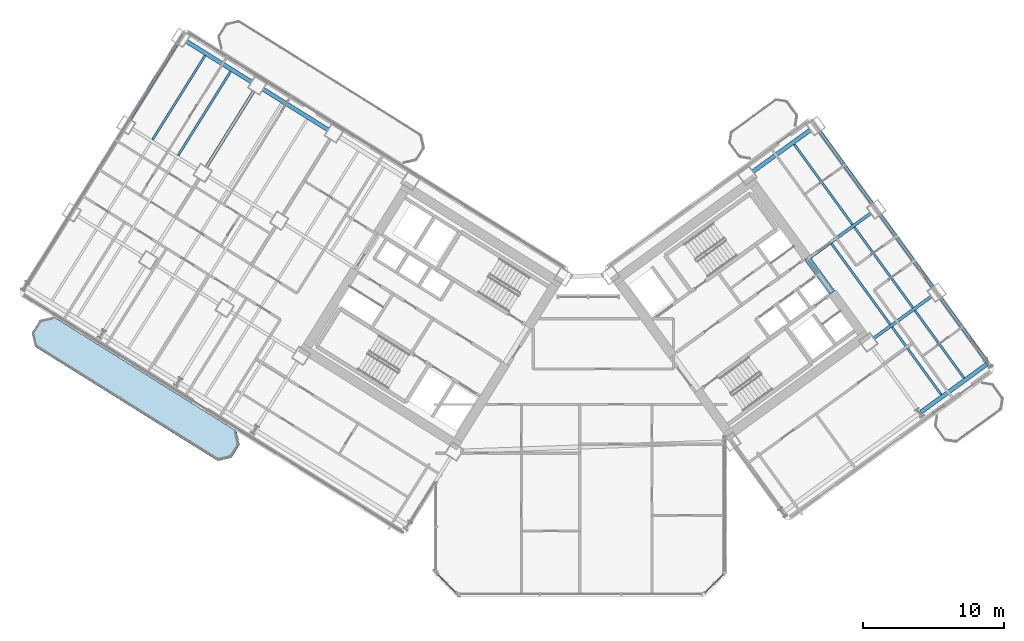
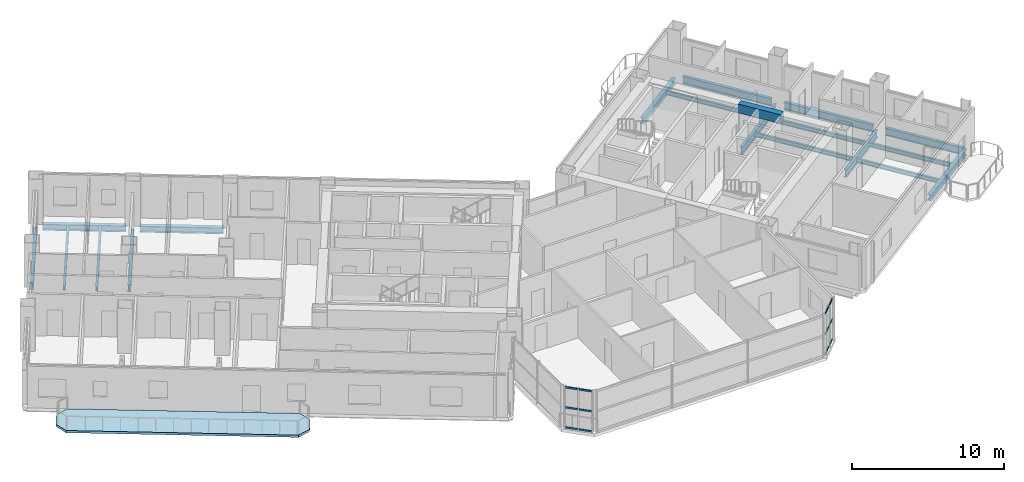
# One storey, part 12 of 28: 19 beams, 12 members, 1 slab, 2 elements without a shape of their own.
"""IFC4 building model written with IfcOpenShell, lengths in metres."""

import ifcopenshell
import ifcopenshell.guid

model = None  # the IFC model being written
_history = None  # IfcOwnerHistory: only IFC2X3 demands one
_inside = {}  # id of a spatial element -> (the spatial element, [elements in it])
_under = {}  # id of a project, library or spatial element -> (it, [spatial elements below it])
_declared = {}  # id of a project -> (the project, [libraries it declares])
_typed = {}  # id of a type object -> (the type object, [elements of that type])
_made_of = {}  # id of a material, layer set ... -> (it, [elements and type objects made of it])


def new_model(schema):
    """Start an empty IFC model of exactly this schema.

    Asked for "IFC4X3", IfcOpenShell would pick the latest addendum, in which some entities
    have other attributes; the version numbers below select the first issue.
    IFC2X3 requires an IfcOwnerHistory on every rooted entity: one is made here for all.
    """
    global model, _history
    if schema == "IFC4X3":
        model = ifcopenshell.file(schema_version=(4, 3, 0, 0))
    else:
        model = ifcopenshell.file(schema=schema)
    _inside.clear()
    _under.clear()
    _declared.clear()
    _typed.clear()
    _made_of.clear()
    _history = None
    if model.schema == "IFC2X3":
        org = make("IfcOrganization", Name="unknown")
        user = make(
            "IfcPersonAndOrganization",
            ThePerson=make("IfcPerson", FamilyName="unknown"),
            TheOrganization=org,
        )
        app = make(
            "IfcApplication",
            ApplicationDeveloper=org,
            Version="unknown",
            ApplicationFullName="unknown",
            ApplicationIdentifier="unknown",
        )
        _history = make(
            "IfcOwnerHistory",
            OwningUser=user,
            OwningApplication=app,
            ChangeAction="ADDED",
            CreationDate=0,
        )
    return model


def make(cls, **values):
    """One entity of the class cls with the attributes given. An attribute that is None is left unset."""
    return model.create_entity(
        cls, **{name: value for name, value in values.items() if value is not None}
    )


def rooted(cls, **values):
    """An entity with a GlobalId (a new one), such as an element, a storey or a relation."""
    return make(cls, GlobalId=ifcopenshell.guid.new(), OwnerHistory=_history, **values)


def si_unit(unit_type, name, prefix=None):
    """IfcSIUnit, for example si_unit("LENGTHUNIT", "METRE", prefix="MILLI")."""
    return make("IfcSIUnit", UnitType=unit_type, Prefix=prefix, Name=name)


def assignment(units):
    """IfcUnitAssignment: the units of a project."""
    return None if units is None else make("IfcUnitAssignment", Units=units)


def point(xyz):
    """IfcCartesianPoint."""
    return None if xyz is None else make("IfcCartesianPoint", Coordinates=xyz)


def direction(xyz):
    """IfcDirection."""
    return None if xyz is None else make("IfcDirection", DirectionRatios=xyz)


def frame(location, z_axis=None, x_axis=None):
    """IfcAxis2Placement3D, a coordinate frame: its origin and axes. An axis left out is left unset."""
    return make(
        "IfcAxis2Placement3D",
        Location=point(location),
        Axis=direction(z_axis),
        RefDirection=direction(x_axis),
    )


def frame_2d(location, x_axis=None):
    """IfcAxis2Placement2D, a coordinate frame in the plane: its origin and x axis."""
    return make(
        "IfcAxis2Placement2D", Location=point(location), RefDirection=direction(x_axis)
    )


def origin():
    """The frame at (0, 0, 0) with its axes left unset."""
    return frame((0.0, 0.0, 0.0))


def origin_2d():
    """The frame at (0, 0) in the plane with its x axis left unset."""
    return frame_2d((0.0, 0.0))


def place(relative_to, where):
    """IfcLocalPlacement: puts the frame where relative to a parent placement (None: the world)."""
    return make(
        "IfcLocalPlacement", PlacementRelTo=relative_to, RelativePlacement=where
    )


def context(
    kind, dimensions, precision=None, world=None, true_north=None, identifier=None
):
    """IfcGeometricRepresentationContext, for example the 3D "Model" context."""
    return make(
        "IfcGeometricRepresentationContext",
        ContextIdentifier=identifier,
        ContextType=kind,
        CoordinateSpaceDimension=dimensions,
        Precision=precision,
        WorldCoordinateSystem=world,
        TrueNorth=true_north,
    )


def subcontext(parent, identifier, kind, view, scale=None):
    """IfcGeometricRepresentationSubContext, for example "Body" below "Model"."""
    return make(
        "IfcGeometricRepresentationSubContext",
        ContextIdentifier=identifier,
        ContextType=kind,
        ParentContext=parent,
        TargetScale=scale,
        TargetView=view,
    )


def project(units=None, contexts=None):
    """IfcProject with its units and contexts."""
    return rooted(
        "IfcProject",
        Name="project",
        RepresentationContexts=contexts,
        UnitsInContext=assignment(units),
    )


def spatial(cls, under=None, at=None, **own):
    """A site, building, storey or space (cls), placed at a placement, below another one or the project."""
    s = rooted(cls, ObjectPlacement=at, **own)
    if under is not None:
        _under.setdefault(under.id(), (under, []))[1].append(s)
    return s


def polyline(points):
    """IfcPolyline through the points."""
    return make("IfcPolyline", Points=[point(p) for p in points])


def profile(cls, at=None, kind="AREA", **sizes):
    """A parametric profile (cls). Its sizes go by their IFC names, for example OverallWidth=200.0."""
    return make(cls, ProfileType=kind, Position=at, **sizes)


def rectangle(**sizes):
    """IfcRectangleProfileDef."""
    return profile("IfcRectangleProfileDef", **sizes)


def hollow_rectangle(**sizes):
    """IfcRectangleHollowProfileDef."""
    return profile("IfcRectangleHollowProfileDef", **sizes)


def i_section(**sizes):
    """IfcIShapeProfileDef."""
    return profile("IfcIShapeProfileDef", **sizes)


def outline(outer, holes=None, kind="AREA"):
    """IfcArbitraryClosedProfileDef: a profile drawn as a closed curve; with holes, ...WithVoids."""
    if holes is None:
        return make("IfcArbitraryClosedProfileDef", ProfileType=kind, OuterCurve=outer)
    return make(
        "IfcArbitraryProfileDefWithVoids",
        ProfileType=kind,
        OuterCurve=outer,
        InnerCurves=holes,
    )


def extrude(swept, where, along, depth):
    """IfcExtrudedAreaSolid: the profile swept, set in the frame where, extruded along a direction by depth."""
    return make(
        "IfcExtrudedAreaSolid",
        SweptArea=swept,
        Position=where,
        ExtrudedDirection=direction(along),
        Depth=depth,
    )


def shape(context_of_items, identifier, shape_type, items):
    """IfcShapeRepresentation: the items that make up one representation, for example the "Body"."""
    return make(
        "IfcShapeRepresentation",
        ContextOfItems=context_of_items,
        RepresentationIdentifier=identifier,
        RepresentationType=shape_type,
        Items=items,
    )


def source(mapping_origin, context_of_items, identifier, shape_type, items):
    """IfcRepresentationMap: a shape defined once, which mapped items show again and again."""
    return make(
        "IfcRepresentationMap",
        MappingOrigin=mapping_origin,
        MappedRepresentation=shape(context_of_items, identifier, shape_type, items),
    )


def transform(
    local_origin,
    x_axis=None,
    y_axis=None,
    z_axis=None,
    scale=None,
    scale2=None,
    scale3=None,
    uniform=True,
):
    """IfcCartesianTransformationOperator3D, or its non-uniform kind. x_axis, y_axis, z_axis: its Axis1, 2, 3."""
    if uniform:
        return make(
            "IfcCartesianTransformationOperator3D",
            Axis1=direction(x_axis),
            Axis2=direction(y_axis),
            LocalOrigin=point(local_origin),
            Scale=scale,
            Axis3=direction(z_axis),
        )
    return make(
        "IfcCartesianTransformationOperator3DnonUniform",
        Axis1=direction(x_axis),
        Axis2=direction(y_axis),
        LocalOrigin=point(local_origin),
        Scale=scale,
        Axis3=direction(z_axis),
        Scale2=scale2,
        Scale3=scale3,
    )


def mapped(mapping_source, mapping_target):
    """IfcMappedItem: shows the shape of a source again, moved by a transform."""
    return make(
        "IfcMappedItem", MappingSource=mapping_source, MappingTarget=mapping_target
    )


def material(Name=None, Category=None):
    """IfcMaterial."""
    return make("IfcMaterial", Name=Name, Category=Category)


def layer(
    of_material, thickness, ventilated=None, Name=None, Category=None, Priority=None
):
    """IfcMaterialLayer: one layer of a wall or slab, of a material (None: an air gap)."""
    return make(
        "IfcMaterialLayer",
        Material=of_material,
        LayerThickness=thickness,
        IsVentilated=ventilated,
        Name=Name,
        Category=Category,
        Priority=Priority,
    )


def layer_set(layers, Name=None):
    """IfcMaterialLayerSet."""
    return make("IfcMaterialLayerSet", MaterialLayers=layers, LayerSetName=Name)


def material_profile(
    of_material, cross_section, Name=None, Category=None, Priority=None
):
    """IfcMaterialProfile: a cross section and its material."""
    return make(
        "IfcMaterialProfile",
        Name=Name,
        Material=of_material,
        Profile=cross_section,
        Priority=Priority,
        Category=Category,
    )


def profile_set(profiles, Name=None, composite=None):
    """IfcMaterialProfileSet."""
    return make(
        "IfcMaterialProfileSet",
        Name=Name,
        MaterialProfiles=profiles,
        CompositeProfile=composite,
    )


def made_of(thing, what):
    """Note that an element or type object is made of a material, layer set ...; save() writes the relation."""
    if what is not None:
        _made_of.setdefault(what.id(), (what, []))[1].append(thing)
    return thing


def type_object(cls, material=None, **own):
    """A type object (cls), such as IfcWallType, which elements share."""
    return made_of(rooted(cls, **own), material)


def element(
    cls,
    number,
    at=None,
    inside=None,
    cuts=None,
    type_object=None,
    material=None,
    context=None,
    identifier="Body",
    shape_type=None,
    held_by="IfcProductDefinitionShape",
    body=None,
    shapes=None,
    **own,
):
    """One element of the class cls, such as IfcWall. Its Tag is "e" and its number.

    at: its placement. inside: the storey or other place that contains it. cuts: it is an
    opening in that element (IfcRelVoidsElement). A single representation is given by context,
    identifier, shape_type and body (its items); several are given by shapes. held_by: the class
    of the entity that holds the representations. save() writes the other relations.
    """
    e = rooted(cls, Tag="e%d" % number, ObjectPlacement=at, **own)
    if body is not None:
        shapes = [shape(context, identifier, shape_type, body)]
    if shapes is not None:
        e.Representation = make(held_by, Representations=shapes)
    if inside is not None:
        _inside.setdefault(inside.id(), (inside, []))[1].append(e)
    if cuts is not None:
        rooted(
            "IfcRelVoidsElement", RelatingBuildingElement=cuts, RelatedOpeningElement=e
        )
    if type_object is not None:
        _typed.setdefault(type_object.id(), (type_object, []))[1].append(e)
    return made_of(e, material)


def aggregate(whole, parts):
    """IfcRelAggregates: a whole, such as a stair, and the parts it consists of."""
    return rooted("IfcRelAggregates", RelatingObject=whole, RelatedObjects=parts)


def save(model, path):
    """Write the relations noted so far, then the file.

    IfcRelAggregates (storeys below a building ...), IfcRelContainedInSpatialStructure (elements
    in a storey), IfcRelDefinesByType, IfcRelAssociatesMaterial and IfcRelDeclares: one each for
    every whole, place, type object, material and project.
    """
    for whole, parts in _under.values():
        aggregate(whole, parts)
    for where, things in _inside.values():
        rooted(
            "IfcRelContainedInSpatialStructure",
            RelatedElements=things,
            RelatingStructure=where,
        )
    for kind, things in _typed.values():
        rooted("IfcRelDefinesByType", RelatedObjects=things, RelatingType=kind)
    for what, things in _made_of.values():
        rooted("IfcRelAssociatesMaterial", RelatedObjects=things, RelatingMaterial=what)
    for by, libraries in _declared.values():
        rooted("IfcRelDeclares", RelatingContext=by, RelatedDefinitions=libraries)
    model.write(path)


model = new_model("IFC4")

# Units and contexts
model_context = context("Model", 3, precision=1e-05, world=origin(), true_north=direction((0.0, 1.0)))
body_context = subcontext(model_context, "Body", "Model", "MODEL_VIEW")
ifc_project = project(units=[si_unit("LENGTHUNIT", "METRE"), si_unit("AREAUNIT", "SQUARE_METRE"), si_unit("VOLUMEUNIT", "CUBIC_METRE"), si_unit("PLANEANGLEUNIT", "RADIAN"), si_unit("MASSUNIT", "GRAM", prefix="KILO")], contexts=[model_context])

# Site, building, storey
site_placement = place(None, origin())
site = spatial("IfcSite", under=ifc_project, at=site_placement, CompositionType="ELEMENT")
building_placement = place(site_placement, origin())
building = spatial("IfcBuilding", under=site, at=building_placement, Name="Tlacorven Tower", CompositionType="ELEMENT")
storey_placement = place(building_placement, frame((0.0, 0.0, 56.39990234375)))
storey = spatial("IfcBuildingStorey", under=building, at=storey_placement, Name="L14", CompositionType="ELEMENT", Elevation=56.39990234375)

# Beams
ifc_material_1 = material(Name="Concrete C60/75", Category="concrete")
ifc_material_profile_1 = material_profile(ifc_material_1, rectangle(XDim=0.449951171875, YDim=0.699951171875, at=origin_2d()), Name="RC 450X700")
ifc_profile_set_1 = profile_set([ifc_material_profile_1], Name="Concrete C60/75")
beam_type_1 = type_object("IfcBeamType", Name="BM-LNT-700", PredefinedType="LINTEL", material=ifc_profile_set_1)
shared_shape_1 = source(origin(), body_context, "Body", "SweptSolid", [
    extrude(rectangle(XDim=0.449951171875, YDim=0.699951171875, at=origin_2d()), origin(), (0.0, 0.0, 1.0), 3.050048828125),
])
beam_1_placement = place(storey_placement, frame((59.856689453125, 23.345947265625, 3.0), z_axis=(-0.587776590479, 0.80902328748, 0.0), x_axis=(-0.80902328748, -0.587776590479, 0.0)))
element("IfcBeam", 1, at=beam_1_placement, inside=storey, type_object=beam_type_1, Name="L14 E core coupling lintel beam E2", PredefinedType="LINTEL", context=body_context, shape_type="MappedRepresentation", body=[
    mapped(shared_shape_1, transform((0.0, 0.0, 0.0), scale=1.0)),
])
ifc_material_2 = material(Name="Steel S355J2", Category="steel")
ifc_material_profile_2 = material_profile(ifc_material_2, i_section(OverallWidth=0.300048828125, OverallDepth=0.489990234375, WebThickness=0.011962890625, FlangeThickness=0.02294921875, at=origin_2d()), Name="HEA 500")
ifc_profile_set_2 = profile_set([ifc_material_profile_2], Name="Steel S355J2")
beam_type_2 = type_object("IfcBeamType", Name="BM-SPN-500", PredefinedType="SPANDREL", material=ifc_profile_set_2)
shared_shape_2 = source(origin(), body_context, "Body", "SweptSolid", [
    extrude(i_section(OverallWidth=0.300048828125, OverallDepth=0.489990234375, WebThickness=0.011962890625, FlangeThickness=0.02294921875, at=origin_2d()), origin(), (0.0, 0.0, 1.0), 5.5),
])
for number, where, z_axis, x_axis, name in (
    (2, (24.118896484375, 34.88134765625, -0.494873046875), (-0.848050668838, 0.52991514706, 0.0), (-0.52991514706, -0.848050668838, 0.0), "L14 beam BM-L14-WL1-4"),
    (3, (18.69140625, 38.272705078125, -0.494873046875), (-0.848050668838, 0.52991514706, 0.0), (-0.52991514706, -0.848050668838, 0.0), "L14 beam BM-L14-WL1-5"),
):
    element("IfcBeam", number, at=place(storey_placement, frame(where, z_axis=z_axis, x_axis=x_axis)), inside=storey, type_object=beam_type_2, Name=name, PredefinedType="SPANDREL", context=body_context, shape_type="MappedRepresentation", body=[
        mapped(shared_shape_2, transform((0.0, 0.0, 0.0), scale=1.0)),
    ])
ifc_material_profile_3 = material_profile(ifc_material_2, i_section(OverallWidth=0.219970703125, OverallDepth=0.60009765625, WebThickness=0.011962890625, FlangeThickness=0.01904296875, at=origin_2d()), Name="IPE 600")
ifc_profile_set_3 = profile_set([ifc_material_profile_3], Name="Steel S355J2")
beam_type_3 = type_object("IfcBeamType", Name="BM-TWR-600", PredefinedType="BEAM", material=ifc_profile_set_3)
shared_shape_3 = source(origin(), body_context, "Body", "SweptSolid", [
    extrude(i_section(OverallWidth=0.219970703125, OverallDepth=0.60009765625, WebThickness=0.011962890625, FlangeThickness=0.01904296875, at=origin_2d()), origin(), (0.0, 0.0, 1.0), 5.650146484375),
])
beam_2_placement = place(storey_placement, frame((70.853271484375, 18.41845703125, -0.5498046875), z_axis=(-0.587783675561, 0.809018139935, 0.0), x_axis=(-0.809018139935, -0.587783675561, 0.0)))
element("IfcBeam", 4, at=beam_2_placement, inside=storey, type_object=beam_type_3, Name="L14 beam BM-L14-ET4-1", PredefinedType="BEAM", context=body_context, shape_type="MappedRepresentation", body=[
    mapped(shared_shape_3, transform((0.0, 0.0, 0.0), scale=1.0)),
])
shared_shape_4 = source(origin(), body_context, "Body", "SweptSolid", [
    extrude(i_section(OverallWidth=0.219970703125, OverallDepth=0.60009765625, WebThickness=0.011962890625, FlangeThickness=0.01904296875, at=origin_2d()), origin(), (0.0, 0.0, 1.0), 6.39990234375),
])
for number, where, z_axis, x_axis, name in (
    (5, (67.003173828125, 23.717529296875, -0.5498046875), (-0.587772420479, 0.809026317077, 0.0), (-0.809026317077, -0.587772420479, 0.0), "L14 beam BM-L14-ET4-2"),
    (6, (62.71240234375, 29.62353515625, -0.5498046875), (-0.587815528162, 0.808994996803, 0.0), (-0.808994996803, -0.587815528162, 0.0), "L14 beam BM-L14-ET4-3"),
):
    element("IfcBeam", number, at=place(storey_placement, frame(where, z_axis=z_axis, x_axis=x_axis)), inside=storey, type_object=beam_type_3, Name=name, PredefinedType="BEAM", context=body_context, shape_type="MappedRepresentation", body=[
        mapped(shared_shape_4, transform((0.0, 0.0, 0.0), scale=1.0)),
    ])
shared_shape_5 = source(origin(), body_context, "Body", "SweptSolid", [
    extrude(i_section(OverallWidth=0.219970703125, OverallDepth=0.60009765625, WebThickness=0.011962890625, FlangeThickness=0.01904296875, at=origin_2d()), origin(), (0.0, 0.0, 1.0), 6.400146484375),
])
for number, where, z_axis, x_axis, name in (
    (7, (18.83447265625, 37.652587890625, -0.5498046875), (-0.529933789039, -0.848039019877, 0.0), (0.848039019877, -0.529933789039, 0.0), "L14 beam BM-L14-WT5-1"),
    (8, (13.406982421875, 41.044189453125, -0.5498046875), (-0.529933789039, -0.848039019877, 0.0), (0.848039019877, -0.529933789039, 0.0), "L14 beam BM-L14-WT6-1"),
):
    element("IfcBeam", number, at=place(storey_placement, frame(where, z_axis=z_axis, x_axis=x_axis)), inside=storey, type_object=beam_type_3, Name=name, PredefinedType="BEAM", context=body_context, shape_type="MappedRepresentation", body=[
        mapped(shared_shape_5, transform((0.0, 0.0, 0.0), scale=1.0)),
    ])
ifc_material_profile_4 = material_profile(ifc_material_2, i_section(OverallWidth=0.159912109375, OverallDepth=0.330078125, WebThickness=0.007568359375, FlangeThickness=0.011474609375, at=origin_2d()), Name="IPE 330")
ifc_profile_set_4 = profile_set([ifc_material_profile_4], Name="Steel S355J2")
beam_type_4 = type_object("IfcBeamType", Name="BM-JST-330", PredefinedType="JOIST", material=ifc_profile_set_4)
shared_shape_6 = source(origin(), body_context, "Body", "SweptSolid", [
    extrude(i_section(OverallWidth=0.159912109375, OverallDepth=0.330078125, WebThickness=0.007568359375, FlangeThickness=0.011474609375, at=origin_2d()), origin(), (0.0, 0.0, 1.0), 7.030029296875),
])
for number, where, z_axis, x_axis, name in (
    (9, (17.181640625, 39.033447265625, -0.414794921875), (-0.529911532383, -0.848052927504, 0.0), (0.848052927504, -0.529911532383, 0.0), "L14 beam BM-L14-WJ5-1-1"),
    (10, (15.372314453125, 40.163818359375, -0.414794921875), (-0.529927139185, -0.84804317529, 0.0), (0.84804317529, -0.529927139185, 0.0), "L14 beam BM-L14-WJ5-1-2"),
    (11, (61.291259765625, 28.1767578125, -0.414794921875), (-0.587773097846, 0.809025824958, 0.0), (-0.809025824958, -0.587773097846, 0.0), "L14 beam BM-L14-EJ3-3-2"),
):
    element("IfcBeam", number, at=place(storey_placement, frame(where, z_axis=z_axis, x_axis=x_axis)), inside=storey, type_object=beam_type_4, Name=name, PredefinedType="JOIST", context=body_context, shape_type="MappedRepresentation", body=[
        mapped(shared_shape_6, transform((0.0, 0.0, 0.0), scale=1.0)),
    ])
shared_shape_7 = source(origin(), body_context, "Body", "SweptSolid", [
    extrude(i_section(OverallWidth=0.159912109375, OverallDepth=0.330078125, WebThickness=0.007568359375, FlangeThickness=0.011474609375, at=origin_2d()), origin(), (0.0, 0.0, 1.0), 5.93017578125),
])
for number, where, z_axis, x_axis, name in (
    (12, (67.584716796875, 16.11181640625, -0.414794921875), (-0.587777512947, 0.809022617282, 0.0), (-0.809022617282, -0.587777512947, 0.0), "L14 beam BM-L14-EJ3-1-1"),
    (13, (69.202880859375, 17.287353515625, -0.414794921875), (-0.587777512947, 0.809022617282, 0.0), (-0.809022617282, -0.587777512947, 0.0), "L14 beam BM-L14-EJ3-1-2"),
):
    element("IfcBeam", number, at=place(storey_placement, frame(where, z_axis=z_axis, x_axis=x_axis)), inside=storey, type_object=beam_type_4, Name=name, PredefinedType="JOIST", context=body_context, shape_type="MappedRepresentation", body=[
        mapped(shared_shape_7, transform((0.0, 0.0, 0.0), scale=1.0)),
    ])
shared_shape_8 = source(origin(), body_context, "Body", "SweptSolid", [
    extrude(i_section(OverallWidth=0.159912109375, OverallDepth=0.330078125, WebThickness=0.007568359375, FlangeThickness=0.011474609375, at=origin_2d()), origin(), (0.0, 0.0, 1.0), 7.070068359375),
])
beam_3_placement = place(storey_placement, frame((63.964111328125, 21.095458984375, -0.414794921875), z_axis=(-0.587797946309, 0.80900777148, 0.0), x_axis=(-0.80900777148, -0.587797946309, 0.0)))
element("IfcBeam", 14, at=beam_3_placement, inside=storey, type_object=beam_type_4, Name="L14 beam BM-L14-EJ3-2-1", PredefinedType="JOIST", context=body_context, shape_type="MappedRepresentation", body=[
    mapped(shared_shape_8, transform((0.0, 0.0, 0.0), scale=1.0)),
])
shared_shape_9 = source(origin(), body_context, "Body", "SweptSolid", [
    extrude(i_section(OverallWidth=0.159912109375, OverallDepth=0.330078125, WebThickness=0.007568359375, FlangeThickness=0.011474609375, at=origin_2d()), origin(), (0.0, 0.0, 1.0), 7.06982421875),
])
beam_4_placement = place(storey_placement, frame((65.58203125, 22.27099609375, -0.414794921875), z_axis=(-0.58777534487, 0.809024192446, 0.0), x_axis=(-0.809024192446, -0.58777534487, 0.0)))
element("IfcBeam", 15, at=beam_4_placement, inside=storey, type_object=beam_type_4, Name="L14 beam BM-L14-EJ3-2-2", PredefinedType="JOIST", context=body_context, shape_type="MappedRepresentation", body=[
    mapped(shared_shape_9, transform((0.0, 0.0, 0.0), scale=1.0)),
])
shared_shape_10 = source(origin(), body_context, "Body", "SweptSolid", [
    extrude(i_section(OverallWidth=0.300048828125, OverallDepth=0.489990234375, WebThickness=0.011962890625, FlangeThickness=0.02294921875, at=origin_2d()), origin(), (0.0, 0.0, 1.0), 5.800048828125),
])
beam_5_placement = place(storey_placement, frame((66.138671875, 14.86962890625, -0.494873046875), z_axis=(0.809019944521, 0.587781191743, 0.0), x_axis=(-0.587781191743, 0.809019944521, 0.0)))
element("IfcBeam", 16, at=beam_5_placement, inside=storey, type_object=beam_type_2, Name="L14 beam BM-L14-EL1-3", PredefinedType="SPANDREL", context=body_context, shape_type="MappedRepresentation", body=[
    mapped(shared_shape_10, transform((0.0, 0.0, 0.0), scale=1.0)),
])
shared_shape_11 = source(origin(), body_context, "Body", "SweptSolid", [
    extrude(i_section(OverallWidth=0.219970703125, OverallDepth=0.60009765625, WebThickness=0.011962890625, FlangeThickness=0.01904296875, at=origin_2d()), origin(), (0.0, 0.0, 1.0), 5.10009765625),
])
beam_6_placement = place(storey_placement, frame((62.777587890625, 20.09130859375, -0.5498046875), z_axis=(0.809007176828, 0.58779876475, 0.0), x_axis=(-0.58779876475, 0.809007176828, 0.0)))
element("IfcBeam", 17, at=beam_6_placement, inside=storey, type_object=beam_type_3, Name="L14 beam BM-L14-EL2-3", PredefinedType="BEAM", context=body_context, shape_type="MappedRepresentation", body=[
    mapped(shared_shape_11, transform((0.0, 0.0, 0.0), scale=1.0)),
])
shared_shape_12 = source(origin(), body_context, "Body", "SweptSolid", [
    extrude(i_section(OverallWidth=0.219970703125, OverallDepth=0.60009765625, WebThickness=0.011962890625, FlangeThickness=0.01904296875, at=origin_2d()), origin(), (0.0, 0.0, 1.0), 5.510009765625),
])
beam_7_placement = place(storey_placement, frame((58.155029296875, 25.756103515625, -0.5498046875), z_axis=(0.809015730594, 0.587786991734, 0.0), x_axis=(-0.587786991734, 0.809015730594, 0.0)))
element("IfcBeam", 18, at=beam_7_placement, inside=storey, type_object=beam_type_3, Name="L14 beam BM-L14-EL3-3", PredefinedType="BEAM", context=body_context, shape_type="MappedRepresentation", body=[
    mapped(shared_shape_12, transform((0.0, 0.0, 0.0), scale=1.0)),
])
shared_shape_13 = source(origin(), body_context, "Body", "SweptSolid", [
    extrude(i_section(OverallWidth=0.300048828125, OverallDepth=0.489990234375, WebThickness=0.011962890625, FlangeThickness=0.02294921875, at=origin_2d()), origin(), (0.0, 0.0, 1.0), 5.099853515625),
])
beam_8_placement = place(storey_placement, frame((54.196044921875, 31.903076171875, -0.494873046875), z_axis=(0.809029940764, 0.587767432704, 0.0), x_axis=(-0.587767432704, 0.809029940764, 0.0)))
element("IfcBeam", 19, at=beam_8_placement, inside=storey, type_object=beam_type_2, Name="L14 beam BM-L14-EL4-3", PredefinedType="SPANDREL", context=body_context, shape_type="MappedRepresentation", body=[
    mapped(shared_shape_13, transform((0.0, 0.0, 0.0), scale=1.0)),
])

# Curtain wall, members
ifc_material_3 = material(Name="Dark solar low-E double glazing in aluminium frame", Category="aluminium")
curtain_wall_type = type_object("IfcCurtainWallType", Name="CW-TWR-LOW", PredefinedType="USERDEFINED", material=ifc_material_3)
curtain_wall_1_placement = place(storey_placement, origin())
curtain_wall_1 = element("IfcCurtainWall", 20, at=curtain_wall_1_placement, inside=storey, type_object=curtain_wall_type, Name="L14 CW-TWR-LOW Curtain Wall 75", ObjectType="UNITISED CURTAIN WALL", PredefinedType="USERDEFINED")
ifc_material_4 = material(Name="Aluminium 6063-T6 anodised", Category="aluminium")
ifc_material_profile_5 = material_profile(ifc_material_4, hollow_rectangle(XDim=0.06005859375, YDim=0.139892578125, WallThickness=0.00390625, at=origin_2d()), Name="ALU TRANSOM 60X140")
ifc_profile_set_5 = profile_set([ifc_material_profile_5], Name="Aluminium 6063-T6 anodised")
member_type = type_object("IfcMemberType", Name="CWT-02", PredefinedType="USERDEFINED", material=ifc_profile_set_5)
shared_shape_14 = source(origin(), body_context, "Body", "SweptSolid", [
    extrude(hollow_rectangle(XDim=0.06005859375, YDim=0.139892578125, WallThickness=0.00390625, at=origin_2d()), origin(), (0.0, 0.0, 1.0), 0.8837890625),
])
member_1_placement = place(storey_placement, frame((52.128173828125, 3.3544921875, 0.070068359375), z_axis=(-0.707106781187, -0.707106781187, 0.0), x_axis=(0.707106781187, -0.707106781187, 0.0)))
member_1 = element("IfcMember", 21, at=member_1_placement, type_object=member_type, Name="CW-L14-075 Transom 1", ObjectType="TRANSOM", PredefinedType="USERDEFINED", context=body_context, shape_type="MappedRepresentation", body=[
    mapped(shared_shape_14, transform((0.0, 0.0, 0.0), scale=1.0)),
])
member_2_placement = place(storey_placement, frame((52.128173828125, 3.3544921875, 1.675048828125), z_axis=(-0.707106781187, -0.707106781187, 0.0), x_axis=(0.707106781187, -0.707106781187, 0.0)))
member_2 = element("IfcMember", 22, at=member_2_placement, type_object=member_type, Name="CW-L14-075 Transom 2", ObjectType="TRANSOM", PredefinedType="USERDEFINED", context=body_context, shape_type="MappedRepresentation", body=[
    mapped(shared_shape_14, transform((0.0, 0.0, 0.0), scale=1.0)),
])
member_3_placement = place(storey_placement, frame((52.128173828125, 3.3544921875, 3.280029296875), z_axis=(-0.707106781187, -0.707106781187, 0.0), x_axis=(0.707106781187, -0.707106781187, 0.0)))
member_3 = element("IfcMember", 23, at=member_3_placement, type_object=member_type, Name="CW-L14-075 Transom 3", ObjectType="TRANSOM", PredefinedType="USERDEFINED", context=body_context, shape_type="MappedRepresentation", body=[
    mapped(shared_shape_14, transform((0.0, 0.0, 0.0), scale=1.0)),
])

curtain_wall_2_placement = place(storey_placement, origin())
curtain_wall_2 = element("IfcCurtainWall", 24, at=curtain_wall_2_placement, inside=storey, type_object=curtain_wall_type, Name="L14 CW-TWR-LOW Curtain Wall 77", ObjectType="UNITISED CURTAIN WALL", PredefinedType="USERDEFINED")
member_4_placement = place(storey_placement, frame((32.496826171875, 2.7294921875, 0.070068359375), z_axis=(-0.707106781187, 0.707106781187, 0.0), x_axis=(-0.707106781187, -0.707106781187, 0.0)))
member_4 = element("IfcMember", 25, at=member_4_placement, type_object=member_type, Name="CW-L14-077 Transom 4", ObjectType="TRANSOM", PredefinedType="USERDEFINED", context=body_context, shape_type="MappedRepresentation", body=[
    mapped(shared_shape_14, transform((0.0, 0.0, 0.0), scale=1.0)),
])
member_5_placement = place(storey_placement, frame((32.496826171875, 2.7294921875, 1.675048828125), z_axis=(-0.707106781187, 0.707106781187, 0.0), x_axis=(-0.707106781187, -0.707106781187, 0.0)))
member_5 = element("IfcMember", 26, at=member_5_placement, type_object=member_type, Name="CW-L14-077 Transom 5", ObjectType="TRANSOM", PredefinedType="USERDEFINED", context=body_context, shape_type="MappedRepresentation", body=[
    mapped(shared_shape_14, transform((0.0, 0.0, 0.0), scale=1.0)),
])
member_6_placement = place(storey_placement, frame((32.496826171875, 2.7294921875, 3.280029296875), z_axis=(-0.707106781187, 0.707106781187, 0.0), x_axis=(-0.707106781187, -0.707106781187, 0.0)))
member_6 = element("IfcMember", 27, at=member_6_placement, type_object=member_type, Name="CW-L14-077 Transom 6", ObjectType="TRANSOM", PredefinedType="USERDEFINED", context=body_context, shape_type="MappedRepresentation", body=[
    mapped(shared_shape_14, transform((0.0, 0.0, 0.0), scale=1.0)),
])

# Member
shared_shape_15 = source(origin(), body_context, "Body", "SweptSolid", [
    extrude(hollow_rectangle(XDim=0.06005859375, YDim=0.139892578125, WallThickness=0.00390625, at=origin_2d()), origin(), (0.0, 0.0, 1.0), 0.884033203125),
])
member_7_placement = place(storey_placement, frame((51.470703125, 2.69677734375, 0.070068359375), z_axis=(-0.707244847527, -0.706968687883, 0.0), x_axis=(0.706968687883, -0.707244847527, 0.0)))
member_7 = element("IfcMember", 28, at=member_7_placement, type_object=member_type, Name="CW-L14-075 Transom 4", ObjectType="TRANSOM", PredefinedType="USERDEFINED", context=body_context, shape_type="MappedRepresentation", body=[
    mapped(shared_shape_15, transform((0.0, 0.0, 0.0), scale=1.0)),
])

member_8_placement = place(storey_placement, frame((51.470703125, 2.69677734375, 1.675048828125), z_axis=(-0.707244847527, -0.706968687883, 0.0), x_axis=(0.706968687883, -0.707244847527, 0.0)))
member_8 = element("IfcMember", 29, at=member_8_placement, type_object=member_type, Name="CW-L14-075 Transom 5", ObjectType="TRANSOM", PredefinedType="USERDEFINED", context=body_context, shape_type="MappedRepresentation", body=[
    mapped(shared_shape_15, transform((0.0, 0.0, 0.0), scale=1.0)),
])

member_9_placement = place(storey_placement, frame((51.470703125, 2.69677734375, 3.280029296875), z_axis=(-0.707244847527, -0.706968687883, 0.0), x_axis=(0.706968687883, -0.707244847527, 0.0)))
member_9 = element("IfcMember", 30, at=member_9_placement, type_object=member_type, Name="CW-L14-075 Transom 6", ObjectType="TRANSOM", PredefinedType="USERDEFINED", context=body_context, shape_type="MappedRepresentation", body=[
    mapped(shared_shape_15, transform((0.0, 0.0, 0.0), scale=1.0)),
])

aggregate(curtain_wall_1, [member_1, member_2, member_3, member_7, member_8, member_9])

member_10_placement = place(storey_placement, frame((33.154541015625, 2.07177734375, 0.070068359375), z_axis=(-0.707244847527, 0.706968687883, 0.0), x_axis=(-0.706968687883, -0.707244847527, 0.0)))
member_10 = element("IfcMember", 31, at=member_10_placement, type_object=member_type, Name="CW-L14-077 Transom 1", ObjectType="TRANSOM", PredefinedType="USERDEFINED", context=body_context, shape_type="MappedRepresentation", body=[
    mapped(shared_shape_15, transform((0.0, 0.0, 0.0), scale=1.0)),
])

member_11_placement = place(storey_placement, frame((33.154541015625, 2.07177734375, 1.675048828125), z_axis=(-0.707244847527, 0.706968687883, 0.0), x_axis=(-0.706968687883, -0.707244847527, 0.0)))
member_11 = element("IfcMember", 32, at=member_11_placement, type_object=member_type, Name="CW-L14-077 Transom 2", ObjectType="TRANSOM", PredefinedType="USERDEFINED", context=body_context, shape_type="MappedRepresentation", body=[
    mapped(shared_shape_15, transform((0.0, 0.0, 0.0), scale=1.0)),
])

member_12_placement = place(storey_placement, frame((33.154541015625, 2.07177734375, 3.280029296875), z_axis=(-0.707244847527, 0.706968687883, 0.0), x_axis=(-0.706968687883, -0.707244847527, 0.0)))
member_12 = element("IfcMember", 33, at=member_12_placement, type_object=member_type, Name="CW-L14-077 Transom 3", ObjectType="TRANSOM", PredefinedType="USERDEFINED", context=body_context, shape_type="MappedRepresentation", body=[
    mapped(shared_shape_15, transform((0.0, 0.0, 0.0), scale=1.0)),
])

aggregate(curtain_wall_2, [member_10, member_11, member_12, member_4, member_5, member_6])

# Slab
ifc_material_5 = material(Name="Precast concrete C45/55", Category="concrete")
ifc_layer = layer(ifc_material_5, 0.179931640625)
ifc_layer_set = layer_set([ifc_layer], Name="Precast concrete C45/55")
slab_type = type_object("IfcSlabType", Name="SL-BAL-180", PredefinedType="USERDEFINED", material=ifc_layer_set)
slab_placement = place(storey_placement, frame((0.0, 0.0, -0.179931640625)))
element("IfcSlab", 34, at=slab_placement, inside=storey, type_object=slab_type, Name="L14 West Wing Balcony Ribbon OUT", ObjectType="BALCONY SLAB", PredefinedType="USERDEFINED", context=body_context, shape_type="SweptSolid", body=[
    extrude(outline(polyline([(17.601318359375, 13.52490234375), (4.626220703125, 21.632568359375), (3.66162109375, 21.409912109375), (3.081298828125, 20.4814453125), (3.303955078125, 19.516845703125), (16.279052734375, 11.408935546875), (17.24365234375, 11.6318359375), (17.823974609375, 12.560302734375), (17.601318359375, 13.52490234375)])), origin(), (0.0, 0.0, 1.0), 0.179931640625),
])

save(model, "model.ifc")
